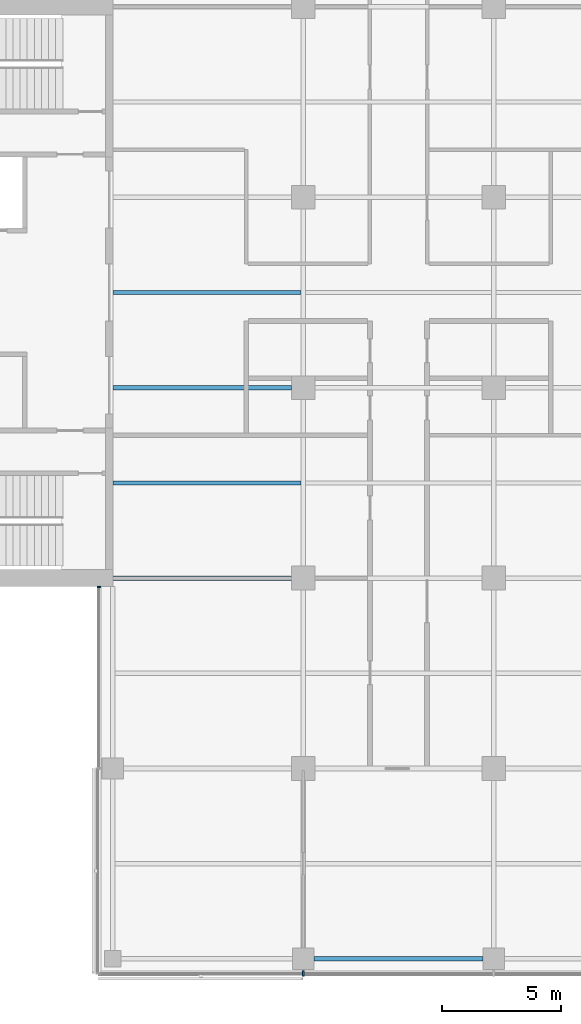
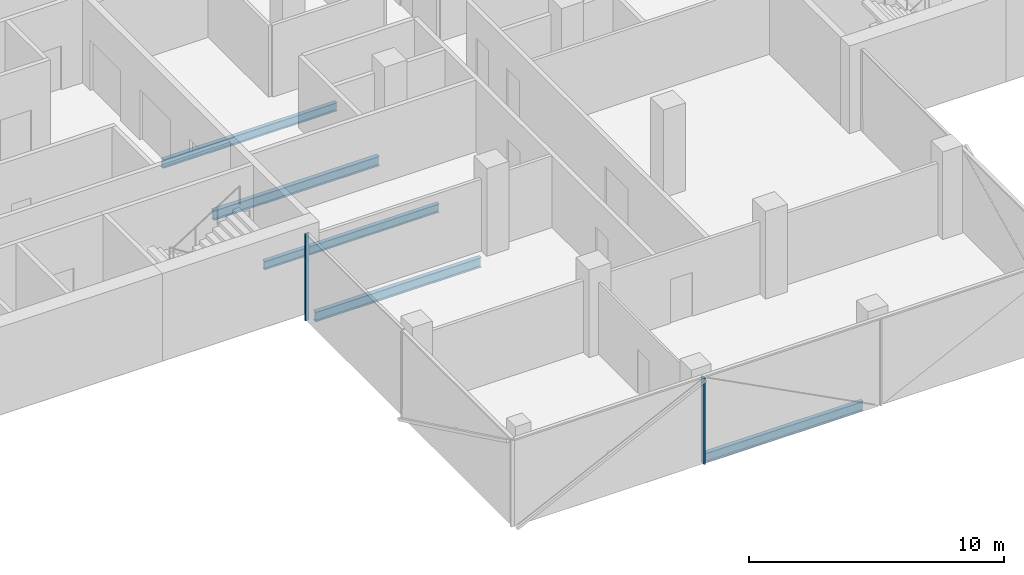
# One storey, part 4 of 22: 5 beams, 2 members, 2 elements without a shape of their own.
"""IFC4 building model written with IfcOpenShell, lengths in metres."""

from ifc_helpers import new_model, si_unit, direction, frame, origin, origin_2d, place, context, subcontext, project, spatial, rectangle, i_section, extrude, material, material_profile, profile_set, type_object, element, aggregate, save


model = new_model("IFC4")

# Units and contexts
model_context = context("Model", 3, precision=1e-05, world=origin(), true_north=direction((0.0, 1.0)))
body_context = subcontext(model_context, "Body", "Model", "MODEL_VIEW")
ifc_project = project(units=[si_unit("LENGTHUNIT", "METRE"), si_unit("AREAUNIT", "SQUARE_METRE"), si_unit("VOLUMEUNIT", "CUBIC_METRE"), si_unit("PLANEANGLEUNIT", "RADIAN"), si_unit("MASSUNIT", "GRAM", prefix="KILO")], contexts=[model_context])

# Site, building, storey
site_placement = place(None, origin())
site = spatial("IfcSite", under=ifc_project, at=site_placement, CompositionType="ELEMENT")
building_placement = place(site_placement, origin())
building = spatial("IfcBuilding", under=site, at=building_placement, Name="Crosswind Convention Tower", CompositionType="ELEMENT")
storey_placement = place(building_placement, frame((0.0, 0.0, 158.89990234375)))
storey = spatial("IfcBuildingStorey", under=building, at=storey_placement, Name="L33", CompositionType="ELEMENT", Elevation=158.89990234375)

# Beams
ifc_material_1 = material(Name="Steel S355", Category="steel")
ifc_material_profile_1 = material_profile(ifc_material_1, i_section(OverallWidth=0.18994140625, OverallDepth=0.45361328125, WebThickness=0.008544921875, FlangeThickness=0.0126953125, FilletRadius=0.01025390625, at=origin_2d()), Name="UB 457x191x67")
ifc_profile_set_1 = profile_set([ifc_material_profile_1], Name="Steel S355")
beam_type_1 = type_object("IfcBeamType", Name="Edge beam UB 457x191x67", PredefinedType="SPANDREL", material=ifc_profile_set_1)
beam_placement = place(storey_placement, frame((121.449951171875, 72.0, -0.526611328125), z_axis=(1.0, 0.0, 0.0), x_axis=(0.0, 1.0, 0.0)))
element("IfcBeam", 1, at=beam_placement, inside=storey, type_object=beam_type_1, Name="B16 L33 edge beam 12", PredefinedType="SPANDREL", context=body_context, shape_type="SweptSolid", body=[
    extrude(i_section(OverallWidth=0.18994140625, OverallDepth=0.45361328125, WebThickness=0.008544921875, FlangeThickness=0.0126953125, FilletRadius=0.01025390625, at=origin_2d()), origin(), (0.0, 0.0, 1.0), 7.10009765625),
])
ifc_material_profile_2 = material_profile(ifc_material_1, i_section(OverallWidth=0.19189453125, OverallDepth=0.463623046875, WebThickness=0.010498046875, FlangeThickness=0.017578125, FilletRadius=0.01025390625, at=origin_2d()), Name="UB 457x191x90")
ifc_profile_set_2 = profile_set([ifc_material_profile_2], Name="Steel S355")
beam_type_2 = type_object("IfcBeamType", Name="Girder at core wall UB 457x191x90", PredefinedType="BEAM", material=ifc_profile_set_2)
for number, where, z_axis, x_axis, name in (
    (2, (113.0, 88.0, -0.53173828125), (1.0, 0.0, 0.0), (0.0, 1.0, 0.0), "B24 L33 girder at core wall 3"),
    (3, (113.0, 96.0, -0.53173828125), (1.0, 0.0, 0.0), (0.0, 1.0, 0.0), "B24 L33 girder at core wall 4"),
):
    element("IfcBeam", number, at=place(storey_placement, frame(where, z_axis=z_axis, x_axis=x_axis)), inside=storey, type_object=beam_type_2, Name=name, PredefinedType="BEAM", context=body_context, shape_type="SweptSolid", body=[
        extrude(i_section(OverallWidth=0.19189453125, OverallDepth=0.463623046875, WebThickness=0.010498046875, FlangeThickness=0.017578125, FilletRadius=0.01025390625, at=origin_2d()), origin(), (0.0, 0.0, 1.0), 7.5),
    ])

# Curtain wall, member
ifc_material_2 = material(Name="Aluminium unitised curtain wall", Category="aluminium")
curtain_wall_type_1 = type_object("IfcCurtainWallType", Name="CORE END SLOT WALL 160", PredefinedType="USERDEFINED", material=ifc_material_2)
curtain_wall_1_placement = place(storey_placement, origin())
curtain_wall_1 = element("IfcCurtainWall", 4, at=curtain_wall_1_placement, inside=storey, type_object=curtain_wall_type_1, Name="CW6 L33 S-W.1-1 slot", ObjectType="UNITISED", PredefinedType="USERDEFINED")
ifc_material_3 = material(Name="Aluminium mullion", Category="aluminium")
ifc_material_profile_3 = material_profile(ifc_material_3, rectangle(XDim=0.159912109375, YDim=0.050048828125, at=origin_2d()), Name="AL 160X50")
ifc_profile_set_3 = profile_set([ifc_material_profile_3], Name="Aluminium mullion")
member_type_1 = type_object("IfcMemberType", Name="MULLION 50X160", PredefinedType="MULLION", material=ifc_profile_set_3)
member_1_placement = place(storey_placement, frame((112.419921875, 87.625, -0.2998046875), z_axis=(0.0, 0.0, 1.0), x_axis=(-1.0, 0.0, 0.0)))
member_1 = element("IfcMember", 5, at=member_1_placement, type_object=member_type_1, Name="CW6 mullion 1", PredefinedType="MULLION", context=body_context, shape_type="SweptSolid", body=[
    extrude(rectangle(XDim=0.159912109375, YDim=0.050048828125, at=origin_2d()), origin(), (0.0, 0.0, 1.0), 4.14990234375),
])
aggregate(curtain_wall_1, [member_1])

curtain_wall_type_2 = type_object("IfcCurtainWallType", Name="OFFICE UNITISED WALL 220", PredefinedType="USERDEFINED", material=ifc_material_2)
curtain_wall_2_placement = place(storey_placement, origin())
curtain_wall_2 = element("IfcCurtainWall", 6, at=curtain_wall_2_placement, inside=storey, type_object=curtain_wall_type_2, Name="CW3 L33 S-TIP 1", ObjectType="UNITISED", PredefinedType="USERDEFINED")
ifc_material_profile_4 = material_profile(ifc_material_3, rectangle(XDim=0.219970703125, YDim=0.070068359375, at=origin_2d()), Name="AL 220X70")
ifc_profile_set_4 = profile_set([ifc_material_profile_4], Name="Aluminium mullion")
member_type_2 = type_object("IfcMemberType", Name="MULLION 70X220", PredefinedType="MULLION", material=ifc_profile_set_4)
member_2_placement = place(storey_placement, frame((121.0, 71.389892578125, -0.2998046875), z_axis=(0.0, 0.0, 1.0), x_axis=(0.0, -1.0, 0.0)))
member_2 = element("IfcMember", 7, at=member_2_placement, type_object=member_type_2, Name="CW3 mullion 2", PredefinedType="MULLION", context=body_context, shape_type="SweptSolid", body=[
    extrude(rectangle(XDim=0.219970703125, YDim=0.070068359375, at=origin_2d()), origin(), (0.0, 0.0, 1.0), 4.1298828125),
])
aggregate(curtain_wall_2, [member_2])

# Beams
ifc_material_profile_5 = material_profile(ifc_material_1, i_section(OverallWidth=0.177734375, OverallDepth=0.406494140625, WebThickness=0.0078125, FlangeThickness=0.0126953125, FilletRadius=0.01025390625, at=origin_2d()), Name="UB 406x178x60")
ifc_profile_set_5 = profile_set([ifc_material_profile_5], Name="Steel S355")
beam_type_3 = type_object("IfcBeamType", Name="Secondary beam UB 406x178x60", PredefinedType="JOIST", material=ifc_profile_set_5)
for number, where, z_axis, x_axis, name in (
    (8, (113.0, 92.0, -0.503173828125), (1.0, 0.0, 0.0), (0.0, 1.0, 0.0), "B10 L33 secondary beam 4"),
    (9, (113.0, 100.0, -0.503173828125), (1.0, 0.0, 0.0), (0.0, 1.0, 0.0), "B10 L33 secondary beam 5"),
):
    element("IfcBeam", number, at=place(storey_placement, frame(where, z_axis=z_axis, x_axis=x_axis)), inside=storey, type_object=beam_type_3, Name=name, PredefinedType="JOIST", context=body_context, shape_type="SweptSolid", body=[
        extrude(i_section(OverallWidth=0.177734375, OverallDepth=0.406494140625, WebThickness=0.0078125, FlangeThickness=0.0126953125, FilletRadius=0.01025390625, at=origin_2d()), origin(), (0.0, 0.0, 1.0), 7.904296875),
    ])

save(model, "model.ifc")
